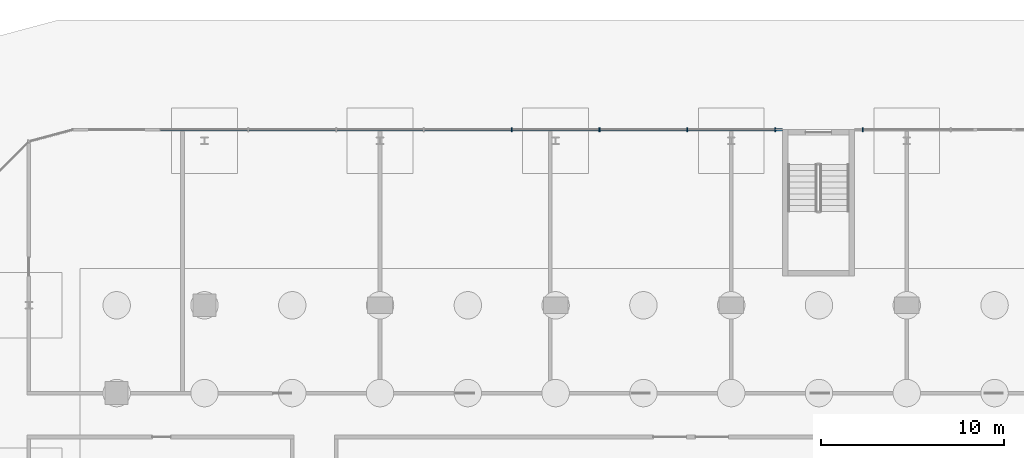
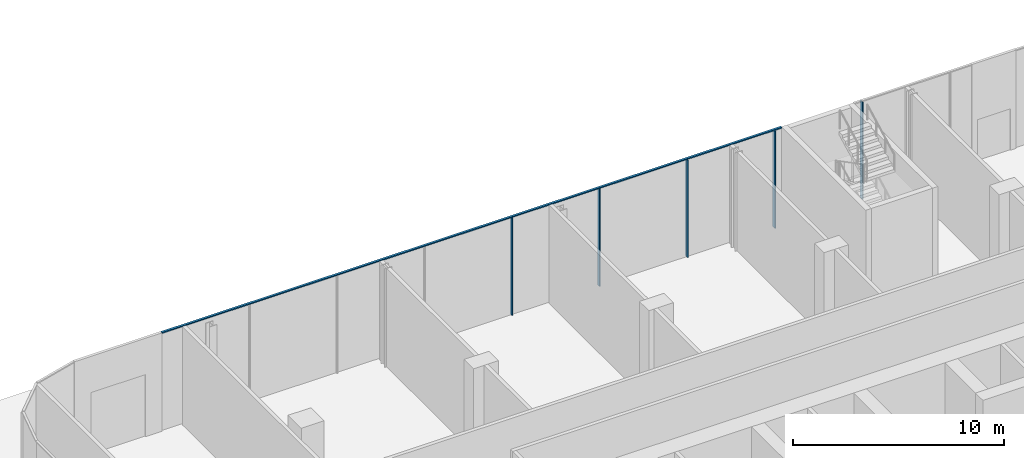
# One storey, part 15 of 44: 6 members, 1 element without a shape of its own.
"""IFC4 building model written with IfcOpenShell, lengths in metres."""

from ifc_helpers import new_model, si_unit, direction, frame, origin, origin_2d, place, context, subcontext, project, spatial, rectangle, extrude, material, layer, layer_set, material_profile, profile_set, type_object, element, aggregate, save


model = new_model("IFC4")

# Units and contexts
model_context = context("Model", 3, precision=1e-05, world=origin(), true_north=direction((0.0, 1.0)))
body_context = subcontext(model_context, "Body", "Model", "MODEL_VIEW")
ifc_project = project(units=[si_unit("LENGTHUNIT", "METRE"), si_unit("AREAUNIT", "SQUARE_METRE"), si_unit("VOLUMEUNIT", "CUBIC_METRE"), si_unit("PLANEANGLEUNIT", "RADIAN"), si_unit("MASSUNIT", "GRAM", prefix="KILO")], contexts=[model_context])

# Site, building, storey
site_placement = place(None, origin())
site = spatial("IfcSite", under=ifc_project, at=site_placement, CompositionType="ELEMENT")
building_placement = place(site_placement, origin())
building = spatial("IfcBuilding", under=site, at=building_placement, Name="Madar Terraces", CompositionType="ELEMENT")
storey_placement = place(building_placement, origin())
storey = spatial("IfcBuildingStorey", under=building, at=storey_placement, Name="L00", CompositionType="ELEMENT", Elevation=0.0)

# Curtain wall, members
ifc_material_1 = material(Name="Glass, clear low-iron, with black aluminium frame", Category="aluminium")
ifc_layer = layer(ifc_material_1, 0.199951171875)
ifc_layer_set = layer_set([ifc_layer], Name="Facade curtain wall, shopfront glazing")
curtain_wall_type = type_object("IfcCurtainWallType", Name="Facade curtain wall, shopfront glazing", PredefinedType="NOTDEFINED", material=ifc_layer_set)
curtain_wall_placement = place(storey_placement, origin())
curtain_wall = element("IfcCurtainWall", 1, at=curtain_wall_placement, inside=storey, type_object=curtain_wall_type, Name="Outer skin curtain wall north bay 1", PredefinedType="NOTDEFINED")
ifc_material_2 = material(Name="Aluminium, black anodised", Category="aluminium")
ifc_material_profile_1 = material_profile(ifc_material_2, rectangle(XDim=0.199951171875, YDim=0.06005859375, at=origin_2d()), Name="Facade mullion 60x200")
ifc_profile_set_1 = profile_set([ifc_material_profile_1], Name="Aluminium, black anodised")
member_type_1 = type_object("IfcMemberType", Name="Facade mullion 60x200", PredefinedType="MULLION", material=ifc_profile_set_1)
member_1_placement = place(storey_placement, frame((40.800048828125, 57.60009765625, 0.0), z_axis=(0.0, 0.0, 1.0), x_axis=(0.0, -1.0, 0.0)))
member_1 = element("IfcMember", 2, at=member_1_placement, type_object=member_type_1, Name="Mullion 5", PredefinedType="MULLION", context=body_context, shape_type="SweptSolid", body=[
    extrude(rectangle(XDim=0.199951171875, YDim=0.06005859375, at=origin_2d()), origin(), (0.0, 0.0, 1.0), 5.639892578125),
])
member_2_placement = place(storey_placement, frame((36.0, 57.60009765625, 0.0), z_axis=(0.0, 0.0, 1.0), x_axis=(0.0, -1.0, 0.0)))
member_2 = element("IfcMember", 3, at=member_2_placement, type_object=member_type_1, Name="Mullion 6", PredefinedType="MULLION", context=body_context, shape_type="SweptSolid", body=[
    extrude(rectangle(XDim=0.199951171875, YDim=0.06005859375, at=origin_2d()), origin(), (0.0, 0.0, 1.0), 5.639892578125),
])
member_3_placement = place(storey_placement, frame((31.199951171875, 57.60009765625, 0.0), z_axis=(0.0, 0.0, 1.0), x_axis=(0.0, -1.0, 0.0)))
member_3 = element("IfcMember", 4, at=member_3_placement, type_object=member_type_1, Name="Mullion 7", PredefinedType="MULLION", context=body_context, shape_type="SweptSolid", body=[
    extrude(rectangle(XDim=0.199951171875, YDim=0.06005859375, at=origin_2d()), origin(), (0.0, 0.0, 1.0), 5.639892578125),
])
member_4_placement = place(storey_placement, frame((26.39990234375, 57.60009765625, 0.0), z_axis=(0.0, 0.0, 1.0), x_axis=(0.0, -1.0, 0.0)))
member_4 = element("IfcMember", 5, at=member_4_placement, type_object=member_type_1, Name="Mullion 8", PredefinedType="MULLION", context=body_context, shape_type="SweptSolid", body=[
    extrude(rectangle(XDim=0.199951171875, YDim=0.06005859375, at=origin_2d()), origin(), (0.0, 0.0, 1.0), 5.639892578125),
])
member_5_placement = place(storey_placement, frame((21.60009765625, 57.60009765625, 0.0), z_axis=(0.0, 0.0, 1.0), x_axis=(0.0, -1.0, 0.0)))
member_5 = element("IfcMember", 6, at=member_5_placement, type_object=member_type_1, Name="Mullion 9", PredefinedType="MULLION", context=body_context, shape_type="SweptSolid", body=[
    extrude(rectangle(XDim=0.199951171875, YDim=0.06005859375, at=origin_2d()), origin(), (0.0, 0.0, 1.0), 5.639892578125),
])
ifc_material_3 = material(Name="Aluminium, black anodised", Category="aluminium")
ifc_material_profile_2 = material_profile(ifc_material_3, rectangle(XDim=0.1201171875, YDim=0.06005859375, at=origin_2d()), Name="Facade transom 60x120")
ifc_profile_set_2 = profile_set([ifc_material_profile_2], Name="Aluminium, black anodised")
member_type_2 = type_object("IfcMemberType", Name="Facade transom 60x120", PredefinedType="USERDEFINED", material=ifc_profile_set_2)
member_6_placement = place(storey_placement, frame((36.39990234375, 57.60009765625, 5.669921875), z_axis=(-1.0, 0.0, 0.0), x_axis=(0.0, -1.0, 0.0)))
member_6 = element("IfcMember", 7, at=member_6_placement, type_object=member_type_2, Name="Transom 3", ObjectType="TRANSOM", PredefinedType="USERDEFINED", context=body_context, shape_type="SweptSolid", body=[
    extrude(rectangle(XDim=0.1201171875, YDim=0.06005859375, at=origin_2d()), origin(), (0.0, 0.0, 1.0), 34.0),
])
aggregate(curtain_wall, [member_1, member_2, member_3, member_4, member_5, member_6])

save(model, "model.ifc")
